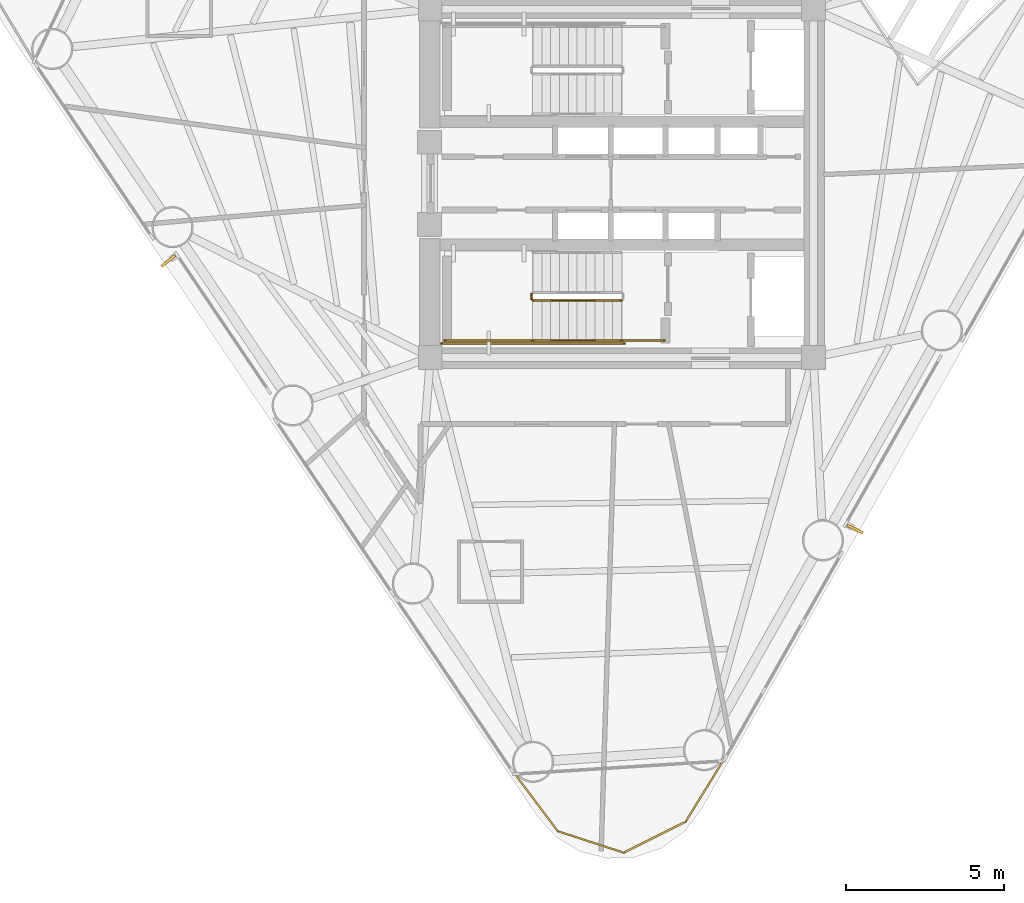
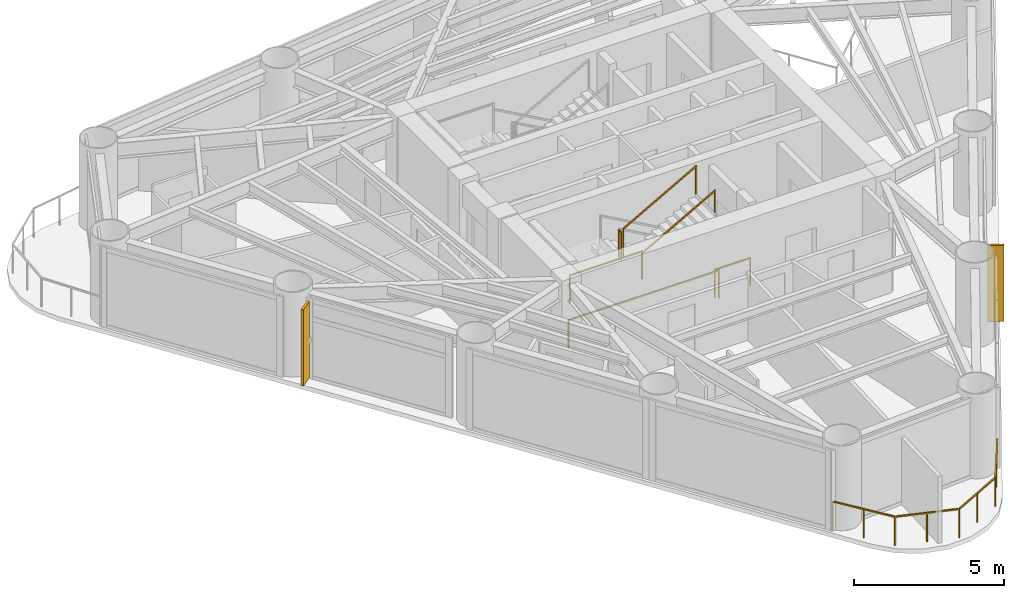
# One storey, part 8 of 10: 7 railings, 2 shading devices.
"""IFC4 building model written with IfcOpenShell, lengths in metres."""

import ifcopenshell
import ifcopenshell.guid

model = None  # the IFC model being written
_history = None  # IfcOwnerHistory: only IFC2X3 demands one
_inside = {}  # id of a spatial element -> (the spatial element, [elements in it])
_under = {}  # id of a project, library or spatial element -> (it, [spatial elements below it])
_declared = {}  # id of a project -> (the project, [libraries it declares])
_typed = {}  # id of a type object -> (the type object, [elements of that type])
_made_of = {}  # id of a material, layer set ... -> (it, [elements and type objects made of it])


def new_model(schema):
    """Start an empty IFC model of exactly this schema.

    Asked for "IFC4X3", IfcOpenShell would pick the latest addendum, in which some entities
    have other attributes; the version numbers below select the first issue.
    IFC2X3 requires an IfcOwnerHistory on every rooted entity: one is made here for all.
    """
    global model, _history
    if schema == "IFC4X3":
        model = ifcopenshell.file(schema_version=(4, 3, 0, 0))
    else:
        model = ifcopenshell.file(schema=schema)
    _inside.clear()
    _under.clear()
    _declared.clear()
    _typed.clear()
    _made_of.clear()
    _history = None
    if model.schema == "IFC2X3":
        org = make("IfcOrganization", Name="unknown")
        user = make(
            "IfcPersonAndOrganization",
            ThePerson=make("IfcPerson", FamilyName="unknown"),
            TheOrganization=org,
        )
        app = make(
            "IfcApplication",
            ApplicationDeveloper=org,
            Version="unknown",
            ApplicationFullName="unknown",
            ApplicationIdentifier="unknown",
        )
        _history = make(
            "IfcOwnerHistory",
            OwningUser=user,
            OwningApplication=app,
            ChangeAction="ADDED",
            CreationDate=0,
        )
    return model


def make(cls, **values):
    """One entity of the class cls with the attributes given. An attribute that is None is left unset."""
    return model.create_entity(
        cls, **{name: value for name, value in values.items() if value is not None}
    )


def rooted(cls, **values):
    """An entity with a GlobalId (a new one), such as an element, a storey or a relation."""
    return make(cls, GlobalId=ifcopenshell.guid.new(), OwnerHistory=_history, **values)


def si_unit(unit_type, name, prefix=None):
    """IfcSIUnit, for example si_unit("LENGTHUNIT", "METRE", prefix="MILLI")."""
    return make("IfcSIUnit", UnitType=unit_type, Prefix=prefix, Name=name)


def assignment(units):
    """IfcUnitAssignment: the units of a project."""
    return None if units is None else make("IfcUnitAssignment", Units=units)


def point(xyz):
    """IfcCartesianPoint."""
    return None if xyz is None else make("IfcCartesianPoint", Coordinates=xyz)


def direction(xyz):
    """IfcDirection."""
    return None if xyz is None else make("IfcDirection", DirectionRatios=xyz)


def frame(location, z_axis=None, x_axis=None):
    """IfcAxis2Placement3D, a coordinate frame: its origin and axes. An axis left out is left unset."""
    return make(
        "IfcAxis2Placement3D",
        Location=point(location),
        Axis=direction(z_axis),
        RefDirection=direction(x_axis),
    )


def frame_2d(location, x_axis=None):
    """IfcAxis2Placement2D, a coordinate frame in the plane: its origin and x axis."""
    return make(
        "IfcAxis2Placement2D", Location=point(location), RefDirection=direction(x_axis)
    )


def origin():
    """The frame at (0, 0, 0) with its axes left unset."""
    return frame((0.0, 0.0, 0.0))


def origin_2d():
    """The frame at (0, 0) in the plane with its x axis left unset."""
    return frame_2d((0.0, 0.0))


def place(relative_to, where):
    """IfcLocalPlacement: puts the frame where relative to a parent placement (None: the world)."""
    return make(
        "IfcLocalPlacement", PlacementRelTo=relative_to, RelativePlacement=where
    )


def context(
    kind, dimensions, precision=None, world=None, true_north=None, identifier=None
):
    """IfcGeometricRepresentationContext, for example the 3D "Model" context."""
    return make(
        "IfcGeometricRepresentationContext",
        ContextIdentifier=identifier,
        ContextType=kind,
        CoordinateSpaceDimension=dimensions,
        Precision=precision,
        WorldCoordinateSystem=world,
        TrueNorth=true_north,
    )


def subcontext(parent, identifier, kind, view, scale=None):
    """IfcGeometricRepresentationSubContext, for example "Body" below "Model"."""
    return make(
        "IfcGeometricRepresentationSubContext",
        ContextIdentifier=identifier,
        ContextType=kind,
        ParentContext=parent,
        TargetScale=scale,
        TargetView=view,
    )


def project(units=None, contexts=None):
    """IfcProject with its units and contexts."""
    return rooted(
        "IfcProject",
        Name="project",
        RepresentationContexts=contexts,
        UnitsInContext=assignment(units),
    )


def spatial(cls, under=None, at=None, **own):
    """A site, building, storey or space (cls), placed at a placement, below another one or the project."""
    s = rooted(cls, ObjectPlacement=at, **own)
    if under is not None:
        _under.setdefault(under.id(), (under, []))[1].append(s)
    return s


def profile(cls, at=None, kind="AREA", **sizes):
    """A parametric profile (cls). Its sizes go by their IFC names, for example OverallWidth=200.0."""
    return make(cls, ProfileType=kind, Position=at, **sizes)


def rectangle(**sizes):
    """IfcRectangleProfileDef."""
    return profile("IfcRectangleProfileDef", **sizes)


def extrude(swept, where, along, depth):
    """IfcExtrudedAreaSolid: the profile swept, set in the frame where, extruded along a direction by depth."""
    return make(
        "IfcExtrudedAreaSolid",
        SweptArea=swept,
        Position=where,
        ExtrudedDirection=direction(along),
        Depth=depth,
    )


def shape(context_of_items, identifier, shape_type, items):
    """IfcShapeRepresentation: the items that make up one representation, for example the "Body"."""
    return make(
        "IfcShapeRepresentation",
        ContextOfItems=context_of_items,
        RepresentationIdentifier=identifier,
        RepresentationType=shape_type,
        Items=items,
    )


def source(mapping_origin, context_of_items, identifier, shape_type, items):
    """IfcRepresentationMap: a shape defined once, which mapped items show again and again."""
    return make(
        "IfcRepresentationMap",
        MappingOrigin=mapping_origin,
        MappedRepresentation=shape(context_of_items, identifier, shape_type, items),
    )


def transform(
    local_origin,
    x_axis=None,
    y_axis=None,
    z_axis=None,
    scale=None,
    scale2=None,
    scale3=None,
    uniform=True,
):
    """IfcCartesianTransformationOperator3D, or its non-uniform kind. x_axis, y_axis, z_axis: its Axis1, 2, 3."""
    if uniform:
        return make(
            "IfcCartesianTransformationOperator3D",
            Axis1=direction(x_axis),
            Axis2=direction(y_axis),
            LocalOrigin=point(local_origin),
            Scale=scale,
            Axis3=direction(z_axis),
        )
    return make(
        "IfcCartesianTransformationOperator3DnonUniform",
        Axis1=direction(x_axis),
        Axis2=direction(y_axis),
        LocalOrigin=point(local_origin),
        Scale=scale,
        Axis3=direction(z_axis),
        Scale2=scale2,
        Scale3=scale3,
    )


def mapped(mapping_source, mapping_target):
    """IfcMappedItem: shows the shape of a source again, moved by a transform."""
    return make(
        "IfcMappedItem", MappingSource=mapping_source, MappingTarget=mapping_target
    )


def material(Name=None, Category=None):
    """IfcMaterial."""
    return make("IfcMaterial", Name=Name, Category=Category)


def material_profile(
    of_material, cross_section, Name=None, Category=None, Priority=None
):
    """IfcMaterialProfile: a cross section and its material."""
    return make(
        "IfcMaterialProfile",
        Name=Name,
        Material=of_material,
        Profile=cross_section,
        Priority=Priority,
        Category=Category,
    )


def profile_set(profiles, Name=None, composite=None):
    """IfcMaterialProfileSet."""
    return make(
        "IfcMaterialProfileSet",
        Name=Name,
        MaterialProfiles=profiles,
        CompositeProfile=composite,
    )


def made_of(thing, what):
    """Note that an element or type object is made of a material, layer set ...; save() writes the relation."""
    if what is not None:
        _made_of.setdefault(what.id(), (what, []))[1].append(thing)
    return thing


def type_object(cls, material=None, **own):
    """A type object (cls), such as IfcWallType, which elements share."""
    return made_of(rooted(cls, **own), material)


def element(
    cls,
    number,
    at=None,
    inside=None,
    cuts=None,
    type_object=None,
    material=None,
    context=None,
    identifier="Body",
    shape_type=None,
    held_by="IfcProductDefinitionShape",
    body=None,
    shapes=None,
    **own,
):
    """One element of the class cls, such as IfcWall. Its Tag is "e" and its number.

    at: its placement. inside: the storey or other place that contains it. cuts: it is an
    opening in that element (IfcRelVoidsElement). A single representation is given by context,
    identifier, shape_type and body (its items); several are given by shapes. held_by: the class
    of the entity that holds the representations. save() writes the other relations.
    """
    e = rooted(cls, Tag="e%d" % number, ObjectPlacement=at, **own)
    if body is not None:
        shapes = [shape(context, identifier, shape_type, body)]
    if shapes is not None:
        e.Representation = make(held_by, Representations=shapes)
    if inside is not None:
        _inside.setdefault(inside.id(), (inside, []))[1].append(e)
    if cuts is not None:
        rooted(
            "IfcRelVoidsElement", RelatingBuildingElement=cuts, RelatedOpeningElement=e
        )
    if type_object is not None:
        _typed.setdefault(type_object.id(), (type_object, []))[1].append(e)
    return made_of(e, material)


def aggregate(whole, parts):
    """IfcRelAggregates: a whole, such as a stair, and the parts it consists of."""
    return rooted("IfcRelAggregates", RelatingObject=whole, RelatedObjects=parts)


def save(model, path):
    """Write the relations noted so far, then the file.

    IfcRelAggregates (storeys below a building ...), IfcRelContainedInSpatialStructure (elements
    in a storey), IfcRelDefinesByType, IfcRelAssociatesMaterial and IfcRelDeclares: one each for
    every whole, place, type object, material and project.
    """
    for whole, parts in _under.values():
        aggregate(whole, parts)
    for where, things in _inside.values():
        rooted(
            "IfcRelContainedInSpatialStructure",
            RelatedElements=things,
            RelatingStructure=where,
        )
    for kind, things in _typed.values():
        rooted("IfcRelDefinesByType", RelatedObjects=things, RelatingType=kind)
    for what, things in _made_of.values():
        rooted("IfcRelAssociatesMaterial", RelatedObjects=things, RelatingMaterial=what)
    for by, libraries in _declared.values():
        rooted("IfcRelDeclares", RelatingContext=by, RelatedDefinitions=libraries)
    model.write(path)


model = new_model("IFC4")

# Units and contexts
model_context = context("Model", 3, precision=1e-05, world=origin(), true_north=direction((0.0, 1.0)))
body_context = subcontext(model_context, "Body", "Model", "MODEL_VIEW")
ifc_project = project(units=[si_unit("LENGTHUNIT", "METRE"), si_unit("AREAUNIT", "SQUARE_METRE"), si_unit("VOLUMEUNIT", "CUBIC_METRE"), si_unit("PLANEANGLEUNIT", "RADIAN"), si_unit("MASSUNIT", "GRAM", prefix="KILO")], contexts=[model_context])

# Site, building, storey
site_placement = place(None, origin())
site = spatial("IfcSite", under=ifc_project, at=site_placement, CompositionType="ELEMENT")
building_placement = place(site_placement, origin())
building = spatial("IfcBuilding", under=site, at=building_placement, Name="Yunling Apex Tower", CompositionType="ELEMENT")
storey_placement = place(building_placement, frame((0.0, 0.0, 182.89990234375)))
storey = spatial("IfcBuildingStorey", under=building, at=storey_placement, Name="L45", CompositionType="ELEMENT", Elevation=182.89990234375)

# Railings
ifc_material_1 = material(Name="Bronze anodised aluminium", Category="aluminium")
railing_type_1 = type_object("IfcRailingType", Name="RL-BAL-1200", PredefinedType="BALUSTRADE", material=ifc_material_1)
railing_1_placement = place(storey_placement, frame((3.195068359375, -18.248046875, 0.0)))
element("IfcRailing", 1, at=railing_1_placement, inside=storey, type_object=railing_type_1, Name="RL-CRNSILL-L45-3", PredefinedType="BALUSTRADE", context=body_context, shape_type="SweptSolid", body=[
    extrude(rectangle(XDim=0.0439453125, YDim=0.0439453125, at=origin_2d()), origin(), (0.0, 0.0, 1.0), 1.199951171875),
    extrude(rectangle(XDim=0.0439453125, YDim=0.0439453125, at=origin_2d()), frame((-1.182861328125, -1.91845703125, 0.0)), (0.0, 0.0, 1.0), 1.199951171875),
    extrude(rectangle(XDim=0.050048828125, YDim=0.050048828125, at=origin_2d()), frame((-0.02001953125, -0.03271484375, 1.1748046875), z_axis=(-0.524828533939, -0.851207971041, 0.0), x_axis=(0.851207971041, -0.524828533939, 0.0)), (0.0, 0.0, 1.0), 2.17724609375),
    extrude(rectangle(XDim=0.0439453125, YDim=0.0439453125, at=origin_2d()), frame((-0.59130859375, -0.959228515625, 0.0)), (0.0, 0.0, 1.0), 1.14599609375),
    extrude(rectangle(XDim=0.0439453125, YDim=0.0439453125, at=origin_2d()), frame((-3.1376953125, -2.895751953125, 0.0)), (0.0, 0.0, 1.0), 1.199951171875),
    extrude(rectangle(XDim=0.050048828125, YDim=0.050048828125, at=origin_2d()), frame((-1.217041015625, -1.935546875, 1.1748046875), z_axis=(-0.894449531573, -0.447168911563, 0.0), x_axis=(0.447168911563, -0.894449531573, 0.0)), (0.0, 0.0, 1.0), 2.10888671875),
    extrude(rectangle(XDim=0.0439453125, YDim=0.0439453125, at=origin_2d()), frame((-2.16015625, -2.4072265625, 0.0)), (0.0, 0.0, 1.0), 1.14599609375),
    extrude(rectangle(XDim=0.0439453125, YDim=0.0439453125, at=origin_2d()), frame((-5.22265625, -2.216552734375, 0.0)), (0.0, 0.0, 1.0), 1.199951171875),
    extrude(rectangle(XDim=0.050048828125, YDim=0.050048828125, at=origin_2d()), frame((-3.174072265625, -2.8837890625, 1.1748046875), z_axis=(-0.950821112954, 0.309740554595, 0.0), x_axis=(-0.309740554595, -0.950821112954, 0.0)), (0.0, 0.0, 1.0), 2.1162109375),
    extrude(rectangle(XDim=0.0439453125, YDim=0.0439453125, at=origin_2d()), frame((-4.18017578125, -2.55615234375, 0.0)), (0.0, 0.0, 1.0), 1.14599609375),
    extrude(rectangle(XDim=0.0439453125, YDim=0.0439453125, at=origin_2d()), frame((-6.572021484375, -0.412841796875, 0.0)), (0.0, 0.0, 1.0), 1.199951171875),
    extrude(rectangle(XDim=0.050048828125, YDim=0.050048828125, at=origin_2d()), frame((-5.24560546875, -2.185791015625, 1.1748046875), z_axis=(-0.599028453381, 0.800727739023, 0.0), x_axis=(-0.800727739023, -0.599028453381, 0.0)), (0.0, 0.0, 1.0), 2.176025390625),
    extrude(rectangle(XDim=0.0439453125, YDim=0.0439453125, at=origin_2d()), frame((-5.8974609375, -1.314697265625, 0.0)), (0.0, 0.0, 1.0), 1.14599609375),
])
ifc_material_2 = material(Name="Steel Q355B", Category="steel")
railing_type_2 = type_object("IfcRailingType", Name="RL-GRD-1150", PredefinedType="GUARDRAIL", material=ifc_material_2)
railing_2_placement = place(storey_placement, frame((-2.860107421875, -3.5, 1.72509765625)))
element("IfcRailing", 2, at=railing_2_placement, inside=storey, type_object=railing_type_2, Name="L45 ST-2 stair guard 2", PredefinedType="GUARDRAIL", context=body_context, shape_type="SweptSolid", body=[
    extrude(rectangle(XDim=0.0439453125, YDim=0.0439453125, at=origin_2d()), origin(), (0.0, 0.0, 1.0), 1.14990234375),
    extrude(rectangle(XDim=0.0439453125, YDim=0.0439453125, at=origin_2d()), frame((0.0, -0.14990234375, 0.0)), (0.0, 0.0, 1.0), 1.14990234375),
    extrude(rectangle(XDim=0.050048828125, YDim=0.050048828125, at=origin_2d()), frame((0.0, -0.038330078125, 1.125), z_axis=(0.0, -1.0, 0.0), x_axis=(1.0, 0.0, 0.0)), (0.0, 0.0, 1.0), 0.0732421875),
])
railing_3_placement = place(storey_placement, frame((-2.81005859375, -4.9599609375, 1.72509765625)))
element("IfcRailing", 3, at=railing_3_placement, inside=storey, type_object=railing_type_2, Name="L45 ST-2 stair guard 3", PredefinedType="GUARDRAIL", context=body_context, shape_type="SweptSolid", body=[
    extrude(rectangle(XDim=0.0439453125, YDim=0.0439453125, at=origin_2d()), origin(), (0.0, 0.0, 1.0), 1.14990234375),
    extrude(rectangle(XDim=0.0439453125, YDim=0.0439453125, at=origin_2d()), frame((-2.7900390625, 0.0, 0.0)), (0.0, 0.0, 1.0), 1.14990234375),
    extrude(rectangle(XDim=0.050048828125, YDim=0.050048828125, at=origin_2d()), frame((-0.038330078125, 0.0, 1.125), z_axis=(-1.0, 0.0, 0.0), x_axis=(0.0, -1.0, 0.0)), (0.0, 0.0, 1.0), 2.71337890625),
])
railing_4_placement = place(storey_placement, frame((-2.81005859375, -3.699951171875, 1.8818359375)))
element("IfcRailing", 4, at=railing_4_placement, inside=storey, type_object=railing_type_2, Name="L45 ST-2 stair guard 4", PredefinedType="GUARDRAIL", context=body_context, shape_type="SweptSolid", body=[
    extrude(rectangle(XDim=0.0439453125, YDim=0.0439453125, at=origin_2d()), origin(), (0.0, 0.0, 1.0), 1.14990234375),
    extrude(rectangle(XDim=0.0439453125, YDim=0.0439453125, at=origin_2d()), frame((2.800048828125, 0.0, 1.568359375)), (0.0, 0.0, 1.0), 1.14990234375),
    extrude(rectangle(XDim=0.050048828125, YDim=0.050048828125, at=origin_2d()), frame((0.033447265625, 0.0, 1.1435546875), z_axis=(0.872461907711, 0.0, 0.488682125306), x_axis=(0.0, 1.0, 0.0)), (0.0, 0.0, 1.0), 3.1328125),
])
railing_5_placement = place(storey_placement, frame((1.35009765625, -4.9599609375, 0.0)))
element("IfcRailing", 5, at=railing_5_placement, inside=storey, type_object=railing_type_2, Name="L45 ST-2 stair guard 6", PredefinedType="GUARDRAIL", context=body_context, shape_type="SweptSolid", body=[
    extrude(rectangle(XDim=0.0439453125, YDim=0.0439453125, at=origin_2d()), origin(), (0.0, 0.0, 1.0), 1.14990234375),
    extrude(rectangle(XDim=0.0439453125, YDim=0.0439453125, at=origin_2d()), frame((-1.360107421875, 0.0, 0.0)), (0.0, 0.0, 1.0), 1.14990234375),
    extrude(rectangle(XDim=0.050048828125, YDim=0.050048828125, at=origin_2d()), frame((-0.038330078125, 0.0, 1.125), z_axis=(-1.0, 0.0, 0.0), x_axis=(0.0, -1.0, 0.0)), (0.0, 0.0, 1.0), 1.283447265625),
])
railing_6_placement = place(storey_placement, frame((0.090087890625, -5.06005859375, 0.0)))
element("IfcRailing", 6, at=railing_6_placement, inside=storey, type_object=railing_type_2, Name="L45 ST-2 stair guard 7", PredefinedType="GUARDRAIL", context=body_context, shape_type="SweptSolid", body=[
    extrude(rectangle(XDim=0.0439453125, YDim=0.0439453125, at=origin_2d()), origin(), (0.0, 0.0, 1.0), 1.14990234375),
    extrude(rectangle(XDim=0.0439453125, YDim=0.0439453125, at=origin_2d()), frame((-5.7900390625, 0.0, 0.0)), (0.0, 0.0, 1.0), 1.14990234375),
    extrude(rectangle(XDim=0.050048828125, YDim=0.050048828125, at=origin_2d()), frame((-0.038330078125, 0.0, 1.125), z_axis=(-1.0, 0.0, 0.0), x_axis=(0.0, -1.0, 0.0)), (0.0, 0.0, 1.0), 5.71337890625),
])
ifc_material_3 = material(Name="Silver anodised aluminium", Category="aluminium")
railing_type_3 = type_object("IfcRailingType", Name="RL-HND-900", PredefinedType="HANDRAIL", material=ifc_material_3)
railing_7_placement = place(storey_placement, frame((-2.81005859375, -4.9599609375, 1.8818359375)))
element("IfcRailing", 7, at=railing_7_placement, inside=storey, type_object=railing_type_3, Name="L45 ST-2 stair handrail 2", PredefinedType="HANDRAIL", context=body_context, shape_type="SweptSolid", body=[
    extrude(rectangle(XDim=0.0439453125, YDim=0.0439453125, at=origin_2d()), origin(), (0.0, 0.0, 1.0), 0.919921875),
    extrude(rectangle(XDim=0.0439453125, YDim=0.0439453125, at=origin_2d()), frame((2.800048828125, 0.0, 1.568359375)), (0.0, 0.0, 1.0), 0.919921875),
    extrude(rectangle(XDim=0.050048828125, YDim=0.050048828125, at=origin_2d()), frame((0.033447265625, 0.0, 0.91357421875), z_axis=(0.872461907711, 0.0, 0.488682125306), x_axis=(0.0, 1.0, 0.0)), (0.0, 0.0, 1.0), 3.1328125),
])

# Shading devices
ifc_material_profile = material_profile(ifc_material_1, rectangle(XDim=0.0849609375, YDim=0.550048828125, at=origin_2d()))
ifc_profile_set = profile_set([ifc_material_profile], Name="Bronze anodised aluminium")
shading_device_type = type_object("IfcShadingDeviceType", Name="FN-BRZ-3", PredefinedType="USERDEFINED", material=ifc_profile_set)
shared_shape = source(origin(), body_context, "Body", "SweptSolid", [
    extrude(rectangle(XDim=0.0849609375, YDim=0.550048828125, at=origin_2d()), origin(), (0.0, 0.0, 1.0), 3.110107421875),
])
for number, where, z_axis, x_axis, name in (
    (8, (7.364501953125, -10.9208984375, 0.06005859375), (0.0, 0.0, 1.0), (0.435073957475, 0.900394719846, 0.0), "CW-L45-F1-B2-FIN-01"),
    (9, (-14.3291015625, -2.45068359375, 0.06005859375), (0.0, 0.0, 1.0), (0.612217280034, -0.790689573744, 0.0), "CW-L45-F3-B2-FIN-01"),
):
    element("IfcShadingDevice", number, at=place(storey_placement, frame(where, z_axis=z_axis, x_axis=x_axis)), inside=storey, type_object=shading_device_type, Name=name, ObjectType="FIN", PredefinedType="USERDEFINED", context=body_context, shape_type="MappedRepresentation", body=[
        mapped(shared_shape, transform((0.0, 0.0, 0.0), scale=1.0)),
    ])

save(model, "model.ifc")
